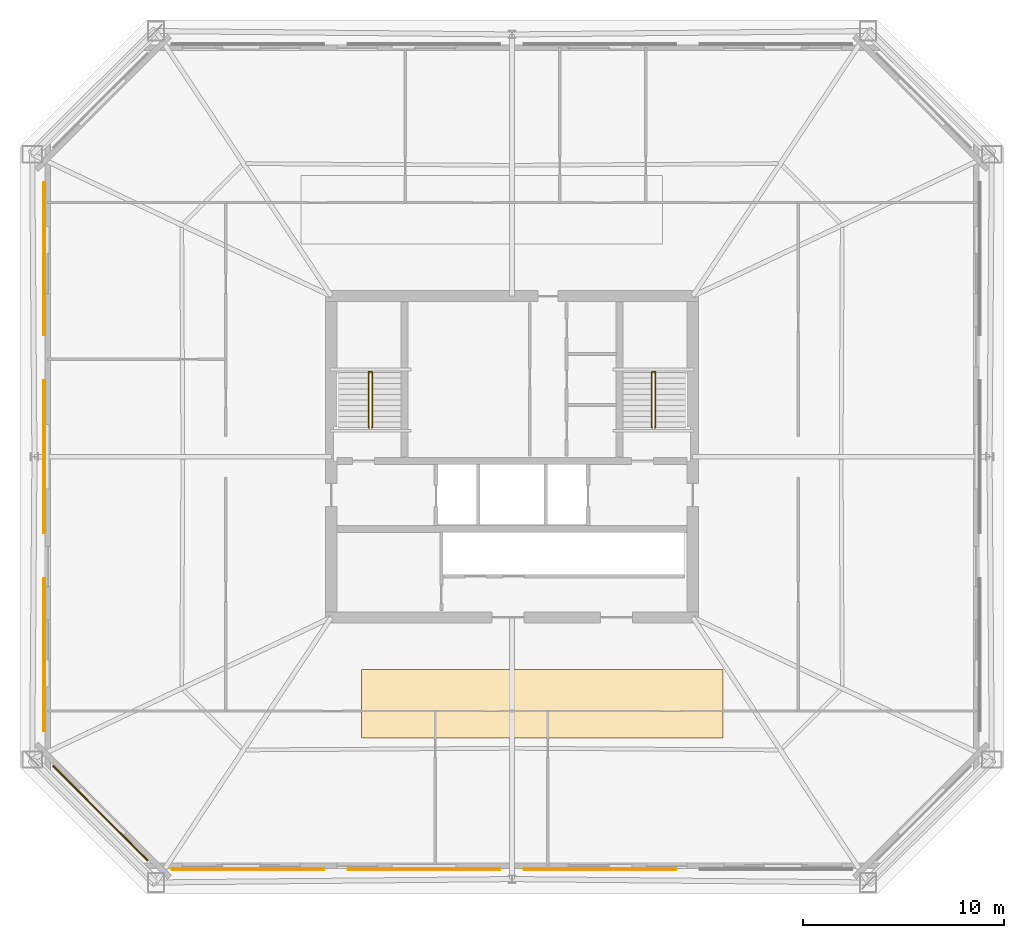
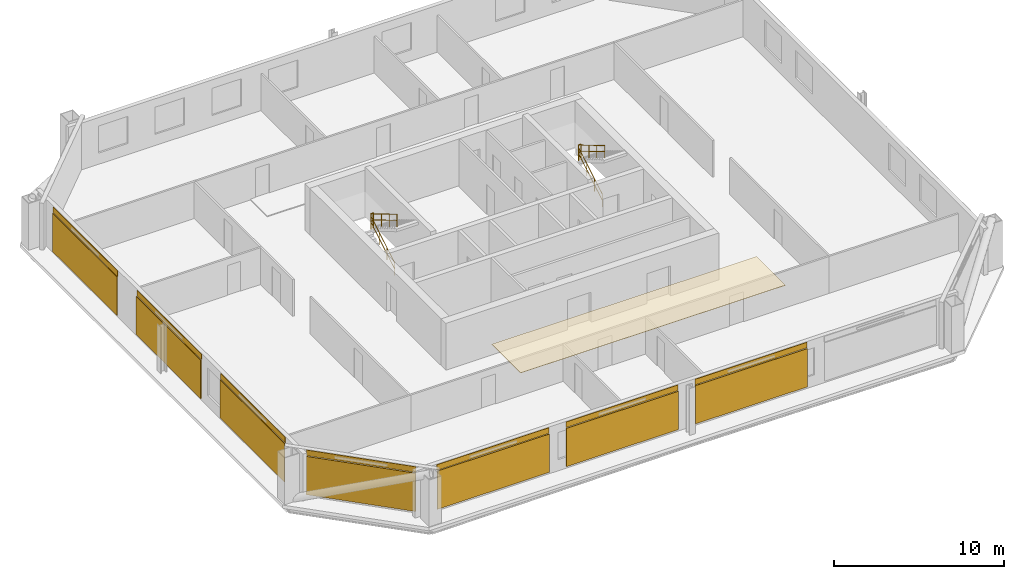
# One storey, part 5 of 6: 8 coverings, 7 shading devices, 6 railings.
"""IFC4 building model written with IfcOpenShell, lengths in metres."""

from ifc_helpers import new_model, si_unit, direction, frame, origin, origin_2d, place, context, subcontext, project, spatial, polyline, rectangle, circle, outline, extrude, material, layer, layer_set, type_object, element, save


model = new_model("IFC4")

# Units and contexts
model_context = context("Model", 3, precision=1e-05, world=origin(), true_north=direction((0.0, 1.0)))
body_context = subcontext(model_context, "Body", "Model", "MODEL_VIEW")
ifc_project = project(units=[si_unit("LENGTHUNIT", "METRE"), si_unit("AREAUNIT", "SQUARE_METRE"), si_unit("VOLUMEUNIT", "CUBIC_METRE"), si_unit("PLANEANGLEUNIT", "RADIAN"), si_unit("MASSUNIT", "GRAM", prefix="KILO")], contexts=[model_context])

# Site, building, storey
site_placement = place(None, origin())
site = spatial("IfcSite", under=ifc_project, at=site_placement, CompositionType="ELEMENT")
building_placement = place(site_placement, origin())
building = spatial("IfcBuilding", under=site, at=building_placement, Name="Caelvoria Tower", CompositionType="ELEMENT")
storey_placement = place(building_placement, frame((0.0, 0.0, 152.800048828125)))
storey = spatial("IfcBuildingStorey", under=building, at=storey_placement, Name="L40", CompositionType="ELEMENT", Elevation=152.800048828125)

# Coverings
ifc_material_1 = material(Name="Acoustic Mineral Fibre Tile", Category="gypsum")
ifc_layer_1 = layer(ifc_material_1, 0.02490234375, Name="Acoustic Mineral Fibre Tile")
ifc_layer_set_1 = layer_set([ifc_layer_1], Name="Mineral-Fibre Acoustic Suspended Ceiling 25 - Acoustic Mineral Fibre Tile")
covering_type_1 = type_object("IfcCoveringType", Name="Mineral-Fibre Acoustic Suspended Ceiling 25", PredefinedType="CEILING", material=ifc_layer_set_1)
covering_1_placement = place(storey_placement, frame((0.0, 0.0, 2.635009765625)))
element("IfcCovering", 1, at=covering_1_placement, inside=storey, type_object=covering_type_1, Name="Suspended Acoustic Ceiling L40", PredefinedType="CEILING", context=body_context, shape_type="SweptSolid", body=[
    extrude(outline(polyline([(38.5, 18.0), (56.5, 18.0), (56.5, 21.39990234375), (38.5, 21.39990234375), (38.5, 18.0)])), origin(), (0.0, 0.0, 1.0), 0.02490234375),
])
ifc_material_2 = material(Name="Perforated Architectural Bronze Cladding Screen", Category="bronze")
ifc_layer_2 = layer(ifc_material_2, 0.0400390625, Name="Perforated Architectural Bronze Cladding Screen")
ifc_layer_set_2 = layer_set([ifc_layer_2], Name="Perforated Bronze Louvre Cladding Band 40 - Perforated Architectural Bronze Cladding Screen")
covering_type_2 = type_object("IfcCoveringType", Name="Perforated Bronze Louvre Cladding Band 40", PredefinedType="CLADDING", material=ifc_layer_set_2)
for number, where, z_axis, x_axis, name in (
    (2, (32.844970703125, 11.47802734375, 2.93994140625), (0.0, 0.0, 1.0), (1.0, 0.0, 0.0), "Perforated Bronze Screen Band L40-E0-00"),
    (3, (41.614990234375, 11.47802734375, 2.93994140625), (0.0, 0.0, 1.0), (1.0, 0.0, 0.0), "Perforated Bronze Screen Band L40-E0-01"),
    (4, (50.385009765625, 11.47802734375, 2.93994140625), (0.0, 0.0, 1.0), (1.0, 0.0, 0.0), "Perforated Bronze Screen Band L40-E0-02"),
    (5, (22.72802734375, 41.860107421875, 2.93994140625), (0.0, 0.0, 1.0), (0.0, -1.0, 0.0), "Perforated Bronze Screen Band L40-E6-00"),
    (6, (22.72802734375, 32.0, 2.93994140625), (0.0, 0.0, 1.0), (0.0, -1.0, 0.0), "Perforated Bronze Screen Band L40-E6-01"),
    (7, (22.72802734375, 22.139892578125, 2.93994140625), (0.0, 0.0, 1.0), (0.0, -1.0, 0.0), "Perforated Bronze Screen Band L40-E6-02"),
):
    element("IfcCovering", number, at=place(storey_placement, frame(where, z_axis=z_axis, x_axis=x_axis)), inside=storey, type_object=covering_type_2, Name=name, PredefinedType="CLADDING", context=body_context, shape_type="SweptSolid", body=[
        extrude(rectangle(XDim=7.60009765625, YDim=0.0400390625, at=origin_2d()), origin(), (0.0, 0.0, 1.0), 0.39990234375),
    ])
covering_2_placement = place(storey_placement, frame((25.518310546875, 14.268310546875, 2.93994140625), z_axis=(0.0, 0.0, 1.0), x_axis=(0.707106781187, -0.707106781187, 0.0)))
element("IfcCovering", 8, at=covering_2_placement, inside=storey, type_object=covering_type_2, Name="Perforated Bronze Screen Band L40-E7-00", PredefinedType="CLADDING", context=body_context, shape_type="SweptSolid", body=[
    extrude(rectangle(XDim=6.6787109375, YDim=0.0400390625, at=origin_2d()), origin(), (0.0, 0.0, 1.0), 0.39990234375),
])

# Shading devices
ifc_material_3 = material(Name="Perforated Architectural Bronze Alloy Panel", Category="bronze")
ifc_layer_3 = layer(ifc_material_3, 0.044921875, Name="Perforated Architectural Bronze Alloy Panel")
ifc_layer_set_3 = layer_set([ifc_layer_3], Name="Perforated Bronze Solar Screen Panel SCREEN - Perforated Architectural Bronze Alloy Panel")
shading_device_type = type_object("IfcShadingDeviceType", Name="Perforated Bronze Solar Screen Panel SCREEN", PredefinedType="USERDEFINED", material=ifc_layer_set_3)
for number, where, z_axis, x_axis, name in (
    (9, (32.844970703125, 11.43505859375, 0.159912109375), (0.0, 0.0, 1.0), (1.0, 0.0, 0.0), "Perforated Bronze Solar Screen L40-E0-00"),
    (10, (41.614990234375, 11.43505859375, 0.159912109375), (0.0, 0.0, 1.0), (1.0, 0.0, 0.0), "Perforated Bronze Solar Screen L40-E0-01"),
    (11, (50.385009765625, 11.43505859375, 0.159912109375), (0.0, 0.0, 1.0), (1.0, 0.0, 0.0), "Perforated Bronze Solar Screen L40-E0-02"),
    (12, (22.68505859375, 41.860107421875, 0.159912109375), (0.0, 0.0, 1.0), (0.0, -1.0, 0.0), "Perforated Bronze Solar Screen L40-E6-00"),
    (13, (22.68505859375, 32.0, 0.159912109375), (0.0, 0.0, 1.0), (0.0, -1.0, 0.0), "Perforated Bronze Solar Screen L40-E6-01"),
    (14, (22.68505859375, 22.139892578125, 0.159912109375), (0.0, 0.0, 1.0), (0.0, -1.0, 0.0), "Perforated Bronze Solar Screen L40-E6-02"),
):
    element("IfcShadingDevice", number, at=place(storey_placement, frame(where, z_axis=z_axis, x_axis=x_axis)), inside=storey, type_object=shading_device_type, Name=name, ObjectType="SCREEN", PredefinedType="USERDEFINED", context=body_context, shape_type="SweptSolid", body=[
        extrude(rectangle(XDim=7.60009765625, YDim=0.044921875, at=origin_2d()), origin(), (0.0, 0.0, 1.0), 2.75),
    ])
shading_device_placement = place(storey_placement, frame((25.48779296875, 14.23779296875, 0.159912109375), z_axis=(0.0, 0.0, 1.0), x_axis=(0.707106781187, -0.707106781187, 0.0)))
element("IfcShadingDevice", 15, at=shading_device_placement, inside=storey, type_object=shading_device_type, Name="Perforated Bronze Solar Screen L40-E7-00", ObjectType="SCREEN", PredefinedType="USERDEFINED", context=body_context, shape_type="SweptSolid", body=[
    extrude(rectangle(XDim=6.6787109375, YDim=0.044921875, at=origin_2d()), origin(), (0.0, 0.0, 1.0), 2.75),
])

# Railings
ifc_material_4 = material(Name="Brushed Stainless Steel Tube", Category="steel")
railing_type_1 = type_object("IfcRailingType", Name="Stair Tubular Stainless Handrail 920", PredefinedType="HANDRAIL", material=ifc_material_4)
railing_1_placement = place(storey_placement, frame((38.8701171875, 33.449951171875, 0.16357421875)))
element("IfcRailing", 16, at=railing_1_placement, inside=storey, type_object=railing_type_1, Name="ST-01 Flight 1 Handrail L40", PredefinedType="HANDRAIL", context=body_context, shape_type="SweptSolid", body=[
    extrude(circle(Radius=0.02392578125, at=origin_2d()), frame((0.0, 0.0, 0.89599609375), z_axis=(0.0, 0.859351957796, 0.511384603436), x_axis=(-1.0, 0.0, 0.0)), (0.0, 0.0, 1.0), 3.2001953125),
    extrude(circle(Radius=0.02392578125, at=origin_2d()), frame((0.0, 0.0, 0.4599609375), z_axis=(0.0, 0.859351957796, 0.511384603436), x_axis=(-1.0, 0.0, 0.0)), (0.0, 0.0, 1.0), 3.2001953125),
    extrude(circle(Radius=0.02099609375, at=origin_2d()), origin(), (0.0, 0.0, 1.0), 0.871826171875),
    extrude(circle(Radius=0.02099609375, at=origin_2d()), frame((0.0, 0.916748046875, 0.54541015625)), (0.0, 0.0, 1.0), 0.871826171875),
    extrude(circle(Radius=0.02099609375, at=origin_2d()), frame((0.0, 1.833251953125, 1.091064453125)), (0.0, 0.0, 1.0), 0.871826171875),
    extrude(circle(Radius=0.02099609375, at=origin_2d()), frame((0.0, 2.75, 1.636474609375)), (0.0, 0.0, 1.0), 0.871826171875),
])
railing_2_placement = place(storey_placement, frame((39.030029296875, 36.199951171875, 1.963623046875)))
element("IfcRailing", 17, at=railing_2_placement, inside=storey, type_object=railing_type_1, Name="ST-01 Flight 2 Handrail L40", PredefinedType="HANDRAIL", context=body_context, shape_type="SweptSolid", body=[
    extrude(circle(Radius=0.02392578125, at=origin_2d()), frame((0.0, 0.0, 0.89599609375), z_axis=(0.0, -0.859385484447, 0.511328259656), x_axis=(1.0, 0.0, 0.0)), (0.0, 0.0, 1.0), 3.199951171875),
    extrude(circle(Radius=0.02392578125, at=origin_2d()), frame((0.0, 0.0, 0.4599609375), z_axis=(0.0, -0.859385484447, 0.511328259656), x_axis=(1.0, 0.0, 0.0)), (0.0, 0.0, 1.0), 3.199951171875),
    extrude(circle(Radius=0.02099609375, at=origin_2d()), origin(), (0.0, 0.0, 1.0), 0.871826171875),
    extrude(circle(Radius=0.02099609375, at=origin_2d()), frame((0.0, -0.916748046875, 0.54541015625)), (0.0, 0.0, 1.0), 0.871826171875),
    extrude(circle(Radius=0.02099609375, at=origin_2d()), frame((0.0, -1.833251953125, 1.0908203125)), (0.0, 0.0, 1.0), 0.871826171875),
    extrude(circle(Radius=0.02099609375, at=origin_2d()), frame((0.0, -2.75, 1.63623046875)), (0.0, 0.0, 1.0), 0.871826171875),
])
railing_3_placement = place(storey_placement, frame((52.969970703125, 33.449951171875, 0.16357421875)))
element("IfcRailing", 18, at=railing_3_placement, inside=storey, type_object=railing_type_1, Name="ST-02 Flight 1 Handrail L40", PredefinedType="HANDRAIL", context=body_context, shape_type="SweptSolid", body=[
    extrude(circle(Radius=0.02392578125, at=origin_2d()), frame((0.0, 0.0, 0.89599609375), z_axis=(0.0, 0.859351957796, 0.511384603436), x_axis=(-1.0, 0.0, 0.0)), (0.0, 0.0, 1.0), 3.2001953125),
    extrude(circle(Radius=0.02392578125, at=origin_2d()), frame((0.0, 0.0, 0.4599609375), z_axis=(0.0, 0.859351957796, 0.511384603436), x_axis=(-1.0, 0.0, 0.0)), (0.0, 0.0, 1.0), 3.2001953125),
    extrude(circle(Radius=0.02099609375, at=origin_2d()), origin(), (0.0, 0.0, 1.0), 0.871826171875),
    extrude(circle(Radius=0.02099609375, at=origin_2d()), frame((0.0, 0.916748046875, 0.54541015625)), (0.0, 0.0, 1.0), 0.871826171875),
    extrude(circle(Radius=0.02099609375, at=origin_2d()), frame((0.0, 1.833251953125, 1.091064453125)), (0.0, 0.0, 1.0), 0.871826171875),
    extrude(circle(Radius=0.02099609375, at=origin_2d()), frame((0.0, 2.75, 1.636474609375)), (0.0, 0.0, 1.0), 0.871826171875),
])
railing_4_placement = place(storey_placement, frame((53.1298828125, 36.199951171875, 1.963623046875)))
element("IfcRailing", 19, at=railing_4_placement, inside=storey, type_object=railing_type_1, Name="ST-02 Flight 2 Handrail L40", PredefinedType="HANDRAIL", context=body_context, shape_type="SweptSolid", body=[
    extrude(circle(Radius=0.02392578125, at=origin_2d()), frame((0.0, 0.0, 0.89599609375), z_axis=(0.0, -0.859385484447, 0.511328259656), x_axis=(1.0, 0.0, 0.0)), (0.0, 0.0, 1.0), 3.199951171875),
    extrude(circle(Radius=0.02392578125, at=origin_2d()), frame((0.0, 0.0, 0.4599609375), z_axis=(0.0, -0.859385484447, 0.511328259656), x_axis=(1.0, 0.0, 0.0)), (0.0, 0.0, 1.0), 3.199951171875),
    extrude(circle(Radius=0.02099609375, at=origin_2d()), origin(), (0.0, 0.0, 1.0), 0.871826171875),
    extrude(circle(Radius=0.02099609375, at=origin_2d()), frame((0.0, -0.916748046875, 0.54541015625)), (0.0, 0.0, 1.0), 0.871826171875),
    extrude(circle(Radius=0.02099609375, at=origin_2d()), frame((0.0, -1.833251953125, 1.0908203125)), (0.0, 0.0, 1.0), 0.871826171875),
    extrude(circle(Radius=0.02099609375, at=origin_2d()), frame((0.0, -2.75, 1.63623046875)), (0.0, 0.0, 1.0), 0.871826171875),
])
ifc_material_5 = material(Name="Brushed Stainless Steel Guardrail", Category="steel")
railing_type_2 = type_object("IfcRailingType", Name="Stair Well and Ramp Guardrail 1120", PredefinedType="GUARDRAIL", material=ifc_material_5)
for number, where, name in (
    (20, (38.8701171875, 36.239990234375, 1.800048828125), "ST-01 Half-Landing Well Guard L40"),
    (21, (52.969970703125, 36.239990234375, 1.800048828125), "ST-02 Half-Landing Well Guard L40"),
):
    element("IfcRailing", number, at=place(storey_placement, frame(where)), inside=storey, type_object=railing_type_2, Name=name, PredefinedType="GUARDRAIL", context=body_context, shape_type="SweptSolid", body=[
        extrude(circle(Radius=0.02392578125, at=origin_2d()), frame((0.0, 0.0, 1.09619140625), z_axis=(1.0, 0.0, 0.0), x_axis=(0.0, 1.0, 0.0)), (0.0, 0.0, 1.0), 0.159912109375),
        extrude(circle(Radius=0.02392578125, at=origin_2d()), frame((0.0, 0.0, 0.56005859375), z_axis=(1.0, 0.0, 0.0), x_axis=(0.0, 1.0, 0.0)), (0.0, 0.0, 1.0), 0.159912109375),
        extrude(circle(Radius=0.02099609375, at=origin_2d()), origin(), (0.0, 0.0, 1.0), 1.072021484375),
        extrude(circle(Radius=0.02099609375, at=origin_2d()), frame((0.159912109375, 0.0, 0.0)), (0.0, 0.0, 1.0), 1.072021484375),
    ])

save(model, "model.ifc")
